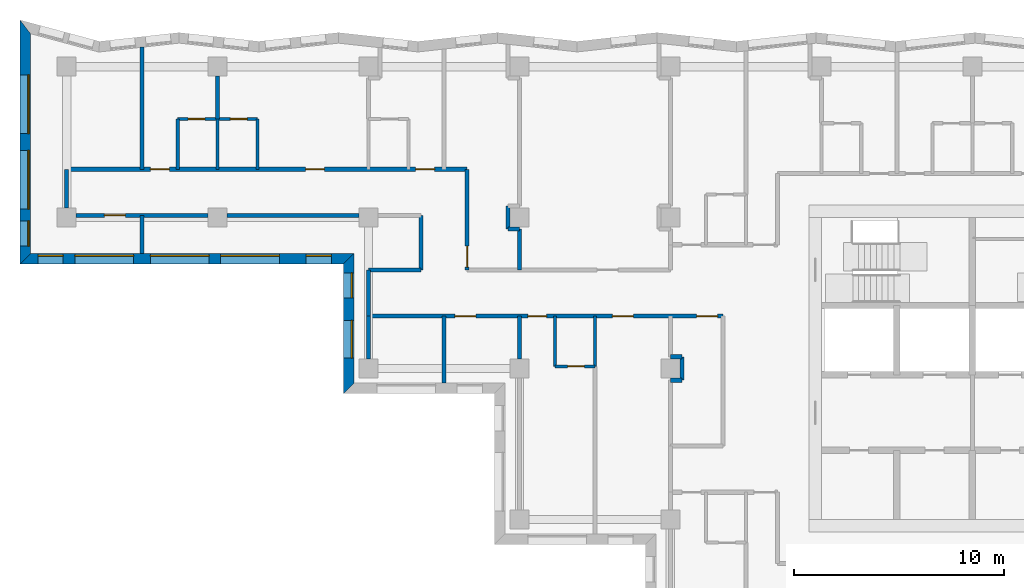
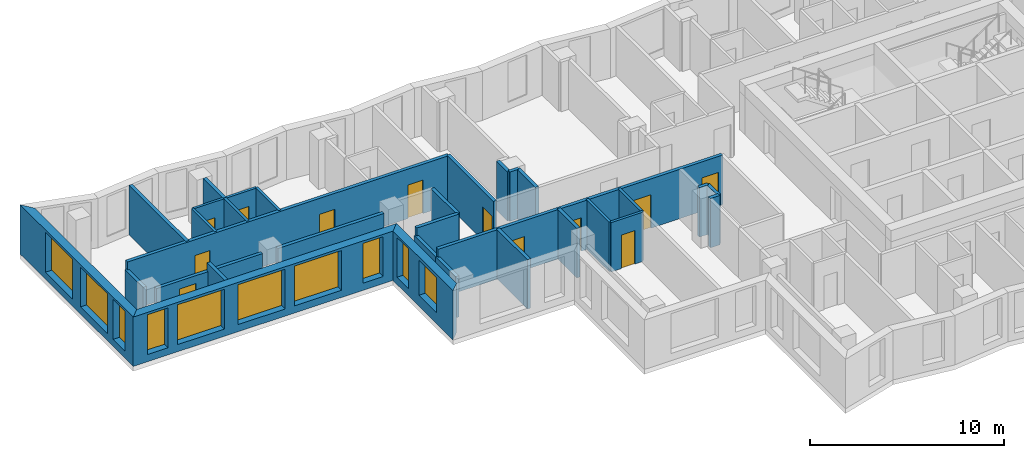
# One storey, part 4 of 12: 31 walls, 12 doors, 10 windows, 22 openings.
"""IFC4 building model written with IfcOpenShell, lengths in metres."""

from ifc_helpers import new_model, si_unit, direction, frame, frame_2d, origin, place, context, subcontext, project, spatial, polyline, rectangle, outline, extrude, material, layer, layer_set, type_object, element, fill, save


model = new_model("IFC4")

# Units and contexts
model_context = context("Model", 3, precision=1e-05, world=origin(), true_north=direction((0.0, 1.0)))
body_context = subcontext(model_context, "Body", "Model", "MODEL_VIEW")
ifc_project = project(units=[si_unit("LENGTHUNIT", "METRE"), si_unit("AREAUNIT", "SQUARE_METRE"), si_unit("VOLUMEUNIT", "CUBIC_METRE"), si_unit("PLANEANGLEUNIT", "RADIAN"), si_unit("MASSUNIT", "GRAM", prefix="KILO")], contexts=[model_context])

# Site, building, storey
site_placement = place(None, origin())
site = spatial("IfcSite", under=ifc_project, at=site_placement, CompositionType="ELEMENT")
building_placement = place(site_placement, origin())
building = spatial("IfcBuilding", under=site, at=building_placement, Name="Windrow Commons", CompositionType="ELEMENT")
storey_placement = place(building_placement, frame((0.0, 0.0, 149.0)))
storey = spatial("IfcBuildingStorey", under=building, at=storey_placement, Name="L40", CompositionType="ELEMENT", Elevation=149.0)

# Wall, openings, windows
ifc_material_1 = material(Name="Brick masonry, red clay brick", Category="masonry")
ifc_layer_1 = layer(ifc_material_1, 0.5)
ifc_layer_set_1 = layer_set([ifc_layer_1], Name="Brick facade wall 500")
wall_type_1 = type_object("IfcWallType", Name="Brick facade wall 500", PredefinedType="SOLIDWALL", material=ifc_layer_set_1)
wall_1_placement = place(storey_placement, frame((19.629, 73.8949, 0.0), z_axis=(0.0, 0.0, 1.0), x_axis=(0.0, -1.0, 0.0)))
wall_1 = element("IfcWall", 1, at=wall_1_placement, inside=storey, type_object=wall_type_1, Name="Brick facade wall L40 35", PredefinedType="SOLIDWALL", context=body_context, shape_type="SweptSolid", body=[
    extrude(outline(polyline([(-0.3261, -0.25), (11.3159, -0.25), (10.8159, 0.25), (0.3261, 0.25), (-0.3261, -0.25)])), origin(), (0.0, 0.0, 1.0), 3.1),
])
opening_1_placement = place(wall_1_placement, frame((2.2949, 0.0, 0.45)))
opening_1 = element("IfcOpeningElement", 2, at=opening_1_placement, cuts=wall_1, Name="Opening W1U", PredefinedType="OPENING", context=body_context, shape_type="SweptSolid", body=[
    extrude(rectangle(XDim=2.8, YDim=2.5, at=frame_2d((1.4, 1.25))), frame((0.0, 0.26, 0.0), z_axis=(0.0, -1.0, 0.0), x_axis=(1.0, 0.0, 0.0)), (0.0, 0.0, 1.0), 0.52),
])
opening_2_placement = place(wall_1_placement, frame((5.8949, 0.0, 0.45)))
opening_2 = element("IfcOpeningElement", 3, at=opening_2_placement, cuts=wall_1, Name="Opening W1U", PredefinedType="OPENING", context=body_context, shape_type="SweptSolid", body=[
    extrude(rectangle(XDim=2.8, YDim=2.5, at=frame_2d((1.4, 1.25))), frame((0.0, 0.26, 0.0), z_axis=(0.0, -1.0, 0.0), x_axis=(1.0, 0.0, 0.0)), (0.0, 0.0, 1.0), 0.52),
])
opening_3_placement = place(wall_1_placement, frame((9.2554, 0.0, 0.45)))
opening_3 = element("IfcOpeningElement", 4, at=opening_3_placement, cuts=wall_1, Name="Opening W7E", PredefinedType="OPENING", context=body_context, shape_type="SweptSolid", body=[
    extrude(rectangle(XDim=1.2, YDim=2.5, at=frame_2d((0.6, 1.25))), frame((0.0, 0.26, 0.0), z_axis=(0.0, -1.0, 0.0), x_axis=(1.0, 0.0, 0.0)), (0.0, 0.0, 1.0), 0.52),
])
ifc_material_2 = material(Name="Clear float glass in anodised aluminium frame", Category="aluminium")
window_type_1 = type_object("IfcWindowType", Name="Window W1U bedroom 2800x2500", PartitioningType="SINGLE_PANEL", PredefinedType="WINDOW", material=ifc_material_2)
window_1_placement = place(opening_1_placement, origin())
window_1 = element("IfcWindow", 5, at=window_1_placement, inside=storey, type_object=window_type_1, Name="Window L40 35.1", OverallHeight=2.5, OverallWidth=2.8, PartitioningType="SINGLE_PANEL", PredefinedType="WINDOW", context=body_context, shape_type="SweptSolid", body=[
    extrude(rectangle(XDim=2.8, YDim=2.5, at=frame_2d((1.4, 1.25))), frame((0.0, 0.18, 0.0), z_axis=(0.0, -1.0, 0.0), x_axis=(1.0, 0.0, 0.0)), (0.0, 0.0, 1.0), 0.06),
])
fill(opening_1, window_1)
window_2_placement = place(opening_2_placement, origin())
window_2 = element("IfcWindow", 6, at=window_2_placement, inside=storey, type_object=window_type_1, Name="Window L40 35.2", OverallHeight=2.5, OverallWidth=2.8, PartitioningType="SINGLE_PANEL", PredefinedType="WINDOW", context=body_context, shape_type="SweptSolid", body=[
    extrude(rectangle(XDim=2.8, YDim=2.5, at=frame_2d((1.4, 1.25))), frame((0.0, 0.18, 0.0), z_axis=(0.0, -1.0, 0.0), x_axis=(1.0, 0.0, 0.0)), (0.0, 0.0, 1.0), 0.06),
])
fill(opening_2, window_2)
ifc_material_3 = material(Name="Clear float glass in anodised aluminium frame", Category="aluminium")
window_type_2 = type_object("IfcWindowType", Name="Window W7 notch 1200x2500", PartitioningType="SINGLE_PANEL", PredefinedType="WINDOW", material=ifc_material_3)
window_3_placement = place(opening_3_placement, origin())
window_3 = element("IfcWindow", 7, at=window_3_placement, inside=storey, type_object=window_type_2, Name="Window L40 35.3", OverallHeight=2.5, OverallWidth=1.2, PartitioningType="SINGLE_PANEL", PredefinedType="WINDOW", context=body_context, shape_type="SweptSolid", body=[
    extrude(rectangle(XDim=1.2, YDim=2.5, at=frame_2d((0.6, 1.25))), frame((0.0, 0.18, 0.0), z_axis=(0.0, -1.0, 0.0), x_axis=(1.0, 0.0, 0.0)), (0.0, 0.0, 1.0), 0.06),
])
fill(opening_3, window_3)

wall_2_placement = place(storey_placement, frame((19.629, 62.829, 0.0), z_axis=(0.0, 0.0, 1.0), x_axis=(1.0, 0.0, 0.0)))
wall_2 = element("IfcWall", 8, at=wall_2_placement, inside=storey, type_object=wall_type_1, Name="Brick facade wall L40 36", PredefinedType="SOLIDWALL", context=body_context, shape_type="SweptSolid", body=[
    extrude(outline(polyline([(-0.25, -0.25), (15.171, -0.25), (15.671, 0.25), (0.25, 0.25), (-0.25, -0.25)])), origin(), (0.0, 0.0, 1.0), 3.1),
])
opening_4_placement = place(wall_2_placement, frame((2.371, 0.0, 0.45)))
opening_4 = element("IfcOpeningElement", 9, at=opening_4_placement, cuts=wall_2, Name="Opening W1U", PredefinedType="OPENING", context=body_context, shape_type="SweptSolid", body=[
    extrude(rectangle(XDim=2.8, YDim=2.5, at=frame_2d((1.4, 1.25))), frame((0.0, 0.26, 0.0), z_axis=(0.0, -1.0, 0.0), x_axis=(1.0, 0.0, 0.0)), (0.0, 0.0, 1.0), 0.52),
])
opening_5_placement = place(wall_2_placement, frame((5.971, 0.0, 0.45)))
opening_5 = element("IfcOpeningElement", 10, at=opening_5_placement, cuts=wall_2, Name="Opening W1U", PredefinedType="OPENING", context=body_context, shape_type="SweptSolid", body=[
    extrude(rectangle(XDim=2.8, YDim=2.5, at=frame_2d((1.4, 1.25))), frame((0.0, 0.26, 0.0), z_axis=(0.0, -1.0, 0.0), x_axis=(1.0, 0.0, 0.0)), (0.0, 0.0, 1.0), 0.52),
])
opening_6_placement = place(wall_2_placement, frame((9.321, 0.0, 0.45)))
opening_6 = element("IfcOpeningElement", 11, at=opening_6_placement, cuts=wall_2, Name="Opening W1U", PredefinedType="OPENING", context=body_context, shape_type="SweptSolid", body=[
    extrude(rectangle(XDim=2.8, YDim=2.5, at=frame_2d((1.4, 1.25))), frame((0.0, 0.26, 0.0), z_axis=(0.0, -1.0, 0.0), x_axis=(1.0, 0.0, 0.0)), (0.0, 0.0, 1.0), 0.52),
])
opening_7_placement = place(wall_2_placement, frame((0.6105, 0.0, 0.45)))
opening_7 = element("IfcOpeningElement", 12, at=opening_7_placement, cuts=wall_2, Name="Opening W7E", PredefinedType="OPENING", context=body_context, shape_type="SweptSolid", body=[
    extrude(rectangle(XDim=1.2, YDim=2.5, at=frame_2d((0.6, 1.25))), frame((0.0, 0.26, 0.0), z_axis=(0.0, -1.0, 0.0), x_axis=(1.0, 0.0, 0.0)), (0.0, 0.0, 1.0), 0.52),
])
opening_8_placement = place(wall_2_placement, frame((13.396, 0.0, 0.45)))
opening_8 = element("IfcOpeningElement", 13, at=opening_8_placement, cuts=wall_2, Name="Opening W7E", PredefinedType="OPENING", context=body_context, shape_type="SweptSolid", body=[
    extrude(rectangle(XDim=1.2, YDim=2.5, at=frame_2d((0.6, 1.25))), frame((0.0, 0.26, 0.0), z_axis=(0.0, -1.0, 0.0), x_axis=(1.0, 0.0, 0.0)), (0.0, 0.0, 1.0), 0.52),
])
window_4_placement = place(opening_4_placement, origin())
window_4 = element("IfcWindow", 14, at=window_4_placement, inside=storey, type_object=window_type_1, Name="Window L40 36.1", OverallHeight=2.5, OverallWidth=2.8, PartitioningType="SINGLE_PANEL", PredefinedType="WINDOW", context=body_context, shape_type="SweptSolid", body=[
    extrude(rectangle(XDim=2.8, YDim=2.5, at=frame_2d((1.4, 1.25))), frame((0.0, 0.18, 0.0), z_axis=(0.0, -1.0, 0.0), x_axis=(1.0, 0.0, 0.0)), (0.0, 0.0, 1.0), 0.06),
])
fill(opening_4, window_4)
window_5_placement = place(opening_5_placement, origin())
window_5 = element("IfcWindow", 15, at=window_5_placement, inside=storey, type_object=window_type_1, Name="Window L40 36.2", OverallHeight=2.5, OverallWidth=2.8, PartitioningType="SINGLE_PANEL", PredefinedType="WINDOW", context=body_context, shape_type="SweptSolid", body=[
    extrude(rectangle(XDim=2.8, YDim=2.5, at=frame_2d((1.4, 1.25))), frame((0.0, 0.18, 0.0), z_axis=(0.0, -1.0, 0.0), x_axis=(1.0, 0.0, 0.0)), (0.0, 0.0, 1.0), 0.06),
])
fill(opening_5, window_5)
window_6_placement = place(opening_6_placement, origin())
window_6 = element("IfcWindow", 16, at=window_6_placement, inside=storey, type_object=window_type_1, Name="Window L40 36.3", OverallHeight=2.5, OverallWidth=2.8, PartitioningType="SINGLE_PANEL", PredefinedType="WINDOW", context=body_context, shape_type="SweptSolid", body=[
    extrude(rectangle(XDim=2.8, YDim=2.5, at=frame_2d((1.4, 1.25))), frame((0.0, 0.18, 0.0), z_axis=(0.0, -1.0, 0.0), x_axis=(1.0, 0.0, 0.0)), (0.0, 0.0, 1.0), 0.06),
])
fill(opening_6, window_6)
window_7_placement = place(opening_7_placement, origin())
window_7 = element("IfcWindow", 17, at=window_7_placement, inside=storey, type_object=window_type_2, Name="Window L40 36.4", OverallHeight=2.5, OverallWidth=1.2, PartitioningType="SINGLE_PANEL", PredefinedType="WINDOW", context=body_context, shape_type="SweptSolid", body=[
    extrude(rectangle(XDim=1.2, YDim=2.5, at=frame_2d((0.6, 1.25))), frame((0.0, 0.18, 0.0), z_axis=(0.0, -1.0, 0.0), x_axis=(1.0, 0.0, 0.0)), (0.0, 0.0, 1.0), 0.06),
])
fill(opening_7, window_7)
window_8_placement = place(opening_8_placement, origin())
window_8 = element("IfcWindow", 18, at=window_8_placement, inside=storey, type_object=window_type_2, Name="Window L40 36.5", OverallHeight=2.5, OverallWidth=1.2, PartitioningType="SINGLE_PANEL", PredefinedType="WINDOW", context=body_context, shape_type="SweptSolid", body=[
    extrude(rectangle(XDim=1.2, YDim=2.5, at=frame_2d((0.6, 1.25))), frame((0.0, 0.18, 0.0), z_axis=(0.0, -1.0, 0.0), x_axis=(1.0, 0.0, 0.0)), (0.0, 0.0, 1.0), 0.06),
])
fill(opening_8, window_8)

wall_3_placement = place(storey_placement, frame((35.05, 62.829, 0.0), z_axis=(0.0, 0.0, 1.0), x_axis=(0.0, -1.0, 0.0)))
wall_3 = element("IfcWall", 19, at=wall_3_placement, inside=storey, type_object=wall_type_1, Name="Brick facade wall L40 37", PredefinedType="SOLIDWALL", context=body_context, shape_type="SweptSolid", body=[
    extrude(outline(polyline([(0.25, -0.25), (6.429, -0.25), (5.929, 0.25), (-0.25, 0.25), (0.25, -0.25)])), origin(), (0.0, 0.0, 1.0), 3.1),
])
opening_9_placement = place(wall_3_placement, frame((0.6645, 0.0, 0.45)))
opening_9 = element("IfcOpeningElement", 20, at=opening_9_placement, cuts=wall_3, Name="Opening W7E", PredefinedType="OPENING", context=body_context, shape_type="SweptSolid", body=[
    extrude(rectangle(XDim=1.2, YDim=2.5, at=frame_2d((0.6, 1.25))), frame((0.0, 0.26, 0.0), z_axis=(0.0, -1.0, 0.0), x_axis=(1.0, 0.0, 0.0)), (0.0, 0.0, 1.0), 0.52),
])
opening_10_placement = place(wall_3_placement, frame((2.929, 0.0, 0.7)))
opening_10 = element("IfcOpeningElement", 21, at=opening_10_placement, cuts=wall_3, Name="Opening W6", PredefinedType="OPENING", context=body_context, shape_type="SweptSolid", body=[
    extrude(rectangle(XDim=1.8, YDim=2.2, at=frame_2d((0.9, 1.1))), frame((0.0, 0.26, 0.0), z_axis=(0.0, -1.0, 0.0), x_axis=(1.0, 0.0, 0.0)), (0.0, 0.0, 1.0), 0.52),
])
ifc_material_4 = material(Name="Clear float glass in anodised aluminium frame", Category="aluminium")
window_type_3 = type_object("IfcWindowType", Name="Window W6 crown 1800x2200", PartitioningType="SINGLE_PANEL", PredefinedType="WINDOW", material=ifc_material_4)
window_9_placement = place(opening_10_placement, origin())
window_9 = element("IfcWindow", 22, at=window_9_placement, inside=storey, type_object=window_type_3, Name="Window L40 37.1A", OverallHeight=2.2, OverallWidth=1.8, PartitioningType="SINGLE_PANEL", PredefinedType="WINDOW", context=body_context, shape_type="SweptSolid", body=[
    extrude(rectangle(XDim=1.8, YDim=2.2, at=frame_2d((0.9, 1.1))), frame((0.0, 0.18, 0.0), z_axis=(0.0, -1.0, 0.0), x_axis=(1.0, 0.0, 0.0)), (0.0, 0.0, 1.0), 0.06),
])
fill(opening_10, window_9)
window_10_placement = place(opening_9_placement, origin())
window_10 = element("IfcWindow", 23, at=window_10_placement, inside=storey, type_object=window_type_2, Name="Window L40 37.2", OverallHeight=2.5, OverallWidth=1.2, PartitioningType="SINGLE_PANEL", PredefinedType="WINDOW", context=body_context, shape_type="SweptSolid", body=[
    extrude(rectangle(XDim=1.2, YDim=2.5, at=frame_2d((0.6, 1.25))), frame((0.0, 0.18, 0.0), z_axis=(0.0, -1.0, 0.0), x_axis=(1.0, 0.0, 0.0)), (0.0, 0.0, 1.0), 0.06),
])
fill(opening_9, window_10)

# Wall, openings, doors
ifc_material_5 = material(Name="Blockwork partition", Category="masonry")
ifc_layer_2 = layer(ifc_material_5, 0.2)
ifc_layer_set_2 = layer_set([ifc_layer_2], Name="IW-CORRIDOR-200")
wall_type_2 = type_object("IfcWallType", Name="IW-CORRIDOR-200", PredefinedType="PARTITIONING", material=ifc_layer_set_2)
wall_4_placement = place(storey_placement, frame((21.602, 67.1, 0.0), z_axis=(0.0, 0.0, 1.0), x_axis=(1.0, 0.0, 0.0)))
wall_4 = element("IfcWall", 24, at=wall_4_placement, inside=storey, type_object=wall_type_2, Name="W-L40-W000", PredefinedType="PARTITIONING", context=body_context, shape_type="SweptSolid", body=[
    extrude(rectangle(XDim=19.098, YDim=0.2, at=frame_2d((9.549, 0.0))), origin(), (0.0, 0.0, 1.0), 3.1),
])
opening_11_placement = place(wall_4_placement, frame((3.998, 0.0, 0.0)))
opening_11 = element("IfcOpeningElement", 25, at=opening_11_placement, cuts=wall_4, Name="Opening D109S", PredefinedType="OPENING", context=body_context, shape_type="SweptSolid", body=[
    extrude(rectangle(XDim=0.9, YDim=2.1, at=frame_2d((0.45, 1.05))), frame((0.0, 0.11, 0.0), z_axis=(0.0, -1.0, 0.0), x_axis=(1.0, 0.0, 0.0)), (0.0, 0.0, 1.0), 0.22),
])
opening_12_placement = place(wall_4_placement, frame((11.3986, 0.0, 0.0)))
opening_12 = element("IfcOpeningElement", 26, at=opening_12_placement, cuts=wall_4, Name="Opening D109F", PredefinedType="OPENING", context=body_context, shape_type="SweptSolid", body=[
    extrude(rectangle(XDim=0.9, YDim=2.1, at=frame_2d((0.45, 1.05))), frame((0.0, 0.11, 0.0), z_axis=(0.0, -1.0, 0.0), x_axis=(1.0, 0.0, 0.0)), (0.0, 0.0, 1.0), 0.22),
])
opening_13_placement = place(wall_4_placement, frame((16.648, 0.0, 0.0)))
opening_13 = element("IfcOpeningElement", 27, at=opening_13_placement, cuts=wall_4, Name="Opening D109S", PredefinedType="OPENING", context=body_context, shape_type="SweptSolid", body=[
    extrude(rectangle(XDim=0.9, YDim=2.1, at=frame_2d((0.45, 1.05))), frame((0.0, 0.11, 0.0), z_axis=(0.0, -1.0, 0.0), x_axis=(1.0, 0.0, 0.0)), (0.0, 0.0, 1.0), 0.22),
])
ifc_material_6 = material(Name="Timber door leaf", Category="wood")
door_type_1 = type_object("IfcDoorType", Name="DT-BEDROOM-900", OperationType="SINGLE_SWING_LEFT", PredefinedType="DOOR", material=ifc_material_6)
door_1_placement = place(opening_11_placement, origin())
door_1 = element("IfcDoor", 28, at=door_1_placement, inside=storey, type_object=door_type_1, Name="D-L40-D002", OperationType="SINGLE_SWING_LEFT", OverallHeight=2.1, OverallWidth=0.9, PredefinedType="DOOR", context=body_context, shape_type="SweptSolid", body=[
    extrude(rectangle(XDim=0.9, YDim=2.1, at=frame_2d((0.45, 1.05))), frame((0.0, 0.025, 0.0), z_axis=(0.0, -1.0, 0.0), x_axis=(1.0, 0.0, 0.0)), (0.0, 0.0, 1.0), 0.05),
])
fill(opening_11, door_1)
door_2_placement = place(opening_12_placement, origin())
door_2 = element("IfcDoor", 29, at=door_2_placement, inside=storey, type_object=door_type_1, Name="D-L40-D004", OperationType="SINGLE_SWING_RIGHT", OverallHeight=2.1, OverallWidth=0.9, PredefinedType="DOOR", context=body_context, shape_type="SweptSolid", body=[
    extrude(rectangle(XDim=0.9, YDim=2.1, at=frame_2d((0.45, 1.05))), frame((0.0, 0.025, 0.0), z_axis=(0.0, -1.0, 0.0), x_axis=(1.0, 0.0, 0.0)), (0.0, 0.0, 1.0), 0.05),
])
fill(opening_12, door_2)
door_3_placement = place(opening_13_placement, origin())
door_3 = element("IfcDoor", 30, at=door_3_placement, inside=storey, type_object=door_type_1, Name="D-L40-D006", OperationType="SINGLE_SWING_RIGHT", OverallHeight=2.1, OverallWidth=0.9, PredefinedType="DOOR", context=body_context, shape_type="SweptSolid", body=[
    extrude(rectangle(XDim=0.9, YDim=2.1, at=frame_2d((0.45, 1.05))), frame((0.0, 0.025, 0.0), z_axis=(0.0, -1.0, 0.0), x_axis=(1.0, 0.0, 0.0)), (0.0, 0.0, 1.0), 0.05),
])
fill(opening_13, door_3)

wall_5_placement = place(storey_placement, frame((36.0, 60.1, 0.0), z_axis=(0.0, 0.0, 1.0), x_axis=(1.0, 0.0, 0.0)))
wall_5 = element("IfcWall", 31, at=wall_5_placement, inside=storey, type_object=wall_type_2, Name="W-L40-W003", PredefinedType="PARTITIONING", context=body_context, shape_type="SweptSolid", body=[
    extrude(rectangle(XDim=16.9, YDim=0.2, at=frame_2d((8.45, 0.0))), origin(), (0.0, 0.0, 1.0), 3.1),
])
opening_14_placement = place(wall_5_placement, frame((4.125, 0.0, 0.0)))
opening_14 = element("IfcOpeningElement", 32, at=opening_14_placement, cuts=wall_5, Name="Opening D310F", PredefinedType="OPENING", context=body_context, shape_type="SweptSolid", body=[
    extrude(rectangle(XDim=1.0, YDim=2.1, at=frame_2d((0.5, 1.05))), frame((0.0, 0.11, 0.0), z_axis=(0.0, -1.0, 0.0), x_axis=(1.0, 0.0, 0.0)), (0.0, 0.0, 1.0), 0.22),
])
opening_15_placement = place(wall_5_placement, frame((7.6, 0.0, 0.0)))
opening_15 = element("IfcOpeningElement", 33, at=opening_15_placement, cuts=wall_5, Name="Opening D109S", PredefinedType="OPENING", context=body_context, shape_type="SweptSolid", body=[
    extrude(rectangle(XDim=0.9, YDim=2.1, at=frame_2d((0.45, 1.05))), frame((0.0, 0.11, 0.0), z_axis=(0.0, -1.0, 0.0), x_axis=(1.0, 0.0, 0.0)), (0.0, 0.0, 1.0), 0.22),
])
opening_16_placement = place(wall_5_placement, frame((11.635, 0.0, 0.0)))
opening_16 = element("IfcOpeningElement", 34, at=opening_16_placement, cuts=wall_5, Name="Opening D310F", PredefinedType="OPENING", context=body_context, shape_type="SweptSolid", body=[
    extrude(rectangle(XDim=1.0, YDim=2.1, at=frame_2d((0.5, 1.05))), frame((0.0, 0.11, 0.0), z_axis=(0.0, -1.0, 0.0), x_axis=(1.0, 0.0, 0.0)), (0.0, 0.0, 1.0), 0.22),
])
opening_17_placement = place(wall_5_placement, frame((15.6524, 0.0, 0.0)))
opening_17 = element("IfcOpeningElement", 35, at=opening_17_placement, cuts=wall_5, Name="Opening D410F", PredefinedType="OPENING", context=body_context, shape_type="SweptSolid", body=[
    extrude(rectangle(XDim=1.0, YDim=2.1, at=frame_2d((0.5, 1.05))), frame((0.0, 0.11, 0.0), z_axis=(0.0, -1.0, 0.0), x_axis=(1.0, 0.0, 0.0)), (0.0, 0.0, 1.0), 0.22),
])
ifc_material_7 = material(Name="Timber door leaf", Category="wood")
door_type_2 = type_object("IfcDoorType", Name="DT-AMENITY-1000", OperationType="SINGLE_SWING_LEFT", PredefinedType="DOOR", material=ifc_material_7)
door_4_placement = place(opening_14_placement, origin())
door_4 = element("IfcDoor", 36, at=door_4_placement, inside=storey, type_object=door_type_2, Name="D-L40-D017", OperationType="SINGLE_SWING_RIGHT", OverallHeight=2.1, OverallWidth=1.0, PredefinedType="DOOR", context=body_context, shape_type="SweptSolid", body=[
    extrude(rectangle(XDim=1.0, YDim=2.1, at=frame_2d((0.5, 1.05))), frame((0.0, 0.025, 0.0), z_axis=(0.0, -1.0, 0.0), x_axis=(1.0, 0.0, 0.0)), (0.0, 0.0, 1.0), 0.05),
])
fill(opening_14, door_4)
door_5_placement = place(opening_16_placement, origin())
door_5 = element("IfcDoor", 37, at=door_5_placement, inside=storey, type_object=door_type_2, Name="D-L40-D022", OperationType="SINGLE_SWING_RIGHT", OverallHeight=2.1, OverallWidth=1.0, PredefinedType="DOOR", context=body_context, shape_type="SweptSolid", body=[
    extrude(rectangle(XDim=1.0, YDim=2.1, at=frame_2d((0.5, 1.05))), frame((0.0, 0.025, 0.0), z_axis=(0.0, -1.0, 0.0), x_axis=(1.0, 0.0, 0.0)), (0.0, 0.0, 1.0), 0.05),
])
fill(opening_16, door_5)
door_6_placement = place(opening_15_placement, origin())
door_6 = element("IfcDoor", 38, at=door_6_placement, inside=storey, type_object=door_type_1, Name="D-L40-D018", OperationType="SINGLE_SWING_LEFT", OverallHeight=2.1, OverallWidth=0.9, PredefinedType="DOOR", context=body_context, shape_type="SweptSolid", body=[
    extrude(rectangle(XDim=0.9, YDim=2.1, at=frame_2d((0.45, 1.05))), frame((0.0, 0.025, 0.0), z_axis=(0.0, -1.0, 0.0), x_axis=(1.0, 0.0, 0.0)), (0.0, 0.0, 1.0), 0.05),
])
fill(opening_15, door_6)
ifc_material_8 = material(Name="Timber door leaf", Category="wood")
door_type_3 = type_object("IfcDoorType", Name="DT-SERVICE-1000", OperationType="SINGLE_SWING_LEFT", PredefinedType="DOOR", material=ifc_material_8)
door_7_placement = place(opening_17_placement, origin())
door_7 = element("IfcDoor", 39, at=door_7_placement, inside=storey, type_object=door_type_3, Name="D-L40-D029", OperationType="SINGLE_SWING_LEFT", OverallHeight=2.1, OverallWidth=1.0, PredefinedType="DOOR", context=body_context, shape_type="SweptSolid", body=[
    extrude(rectangle(XDim=1.0, YDim=2.1, at=frame_2d((0.5, 1.05))), frame((0.0, 0.025, 0.0), z_axis=(0.0, -1.0, 0.0), x_axis=(1.0, 0.0, 0.0)), (0.0, 0.0, 1.0), 0.05),
])
fill(opening_17, door_7)

# Wall, opening, door
wall_6_placement = place(storey_placement, frame((22.05, 64.9, 0.0), z_axis=(0.0, 0.0, 1.0), x_axis=(1.0, 0.0, 0.0)))
wall_6 = element("IfcWall", 40, at=wall_6_placement, inside=storey, type_object=wall_type_2, Name="W-L40-W021", PredefinedType="PARTITIONING", context=body_context, shape_type="SweptSolid", body=[
    extrude(rectangle(XDim=6.3, YDim=0.2, at=frame_2d((3.15, 0.0))), origin(), (0.0, 0.0, 1.0), 2.6),
])
opening_18_placement = place(wall_6_placement, frame((1.3501, 0.0, 0.0)))
opening_18 = element("IfcOpeningElement", 41, at=opening_18_placement, cuts=wall_6, Name="Opening D310F", PredefinedType="OPENING", context=body_context, shape_type="SweptSolid", body=[
    extrude(rectangle(XDim=1.0, YDim=2.1, at=frame_2d((0.5, 1.05))), frame((0.0, 0.11, 0.0), z_axis=(0.0, -1.0, 0.0), x_axis=(1.0, 0.0, 0.0)), (0.0, 0.0, 1.0), 0.22),
])
door_8_placement = place(opening_18_placement, origin())
door_8 = element("IfcDoor", 42, at=door_8_placement, inside=storey, type_object=door_type_2, Name="D-L40-D001", OperationType="SINGLE_SWING_RIGHT", OverallHeight=2.1, OverallWidth=1.0, PredefinedType="DOOR", context=body_context, shape_type="SweptSolid", body=[
    extrude(rectangle(XDim=1.0, YDim=2.1, at=frame_2d((0.5, 1.05))), frame((0.0, 0.025, 0.0), z_axis=(0.0, -1.0, 0.0), x_axis=(1.0, 0.0, 0.0)), (0.0, 0.0, 1.0), 0.05),
])
fill(opening_18, door_8)

# Wall
wall_7_placement = place(storey_placement, frame((29.25, 64.9, 0.0), z_axis=(0.0, 0.0, 1.0), x_axis=(1.0, 0.0, 0.0)))
element("IfcWall", 43, at=wall_7_placement, inside=storey, type_object=wall_type_2, Name="W-L40-W022", PredefinedType="PARTITIONING", context=body_context, shape_type="SweptSolid", body=[
    extrude(rectangle(XDim=6.3, YDim=0.2, at=frame_2d((3.15, 0.0))), origin(), (0.0, 0.0, 1.0), 2.6),
])

# Wall, opening, door
wall_8_placement = place(storey_placement, frame((40.7, 62.302, 0.0), z_axis=(0.0, 0.0, 1.0), x_axis=(0.0, 1.0, 0.0)))
wall_8 = element("IfcWall", 44, at=wall_8_placement, inside=storey, type_object=wall_type_2, Name="W-L40-W040", PredefinedType="PARTITIONING", context=body_context, shape_type="SweptSolid", body=[
    extrude(rectangle(XDim=4.798, YDim=0.2, at=frame_2d((2.399, 0.0))), origin(), (0.0, 0.0, 1.0), 3.1),
])
opening_19_placement = place(wall_8_placement, frame((0.133, 0.0, 0.0)))
opening_19 = element("IfcOpeningElement", 45, at=opening_19_placement, cuts=wall_8, Name="Opening D310F", PredefinedType="OPENING", context=body_context, shape_type="SweptSolid", body=[
    extrude(rectangle(XDim=1.0, YDim=2.1, at=frame_2d((0.5, 1.05))), frame((0.0, 0.11, 0.0), z_axis=(0.0, -1.0, 0.0), x_axis=(1.0, 0.0, 0.0)), (0.0, 0.0, 1.0), 0.22),
])
door_9_placement = place(opening_19_placement, origin())
door_9 = element("IfcDoor", 46, at=door_9_placement, inside=storey, type_object=door_type_2, Name="D-L40-D020", OperationType="SINGLE_SWING_LEFT", OverallHeight=2.1, OverallWidth=1.0, PredefinedType="DOOR", context=body_context, shape_type="SweptSolid", body=[
    extrude(rectangle(XDim=1.0, YDim=2.1, at=frame_2d((0.5, 1.05))), frame((0.0, 0.025, 0.0), z_axis=(0.0, -1.0, 0.0), x_axis=(1.0, 0.0, 0.0)), (0.0, 0.0, 1.0), 0.05),
])
fill(opening_19, door_9)

# Walls
wall_9_placement = place(storey_placement, frame((38.5, 62.302, 0.0), z_axis=(0.0, 0.0, 1.0), x_axis=(0.0, 1.0, 0.0)))
element("IfcWall", 47, at=wall_9_placement, inside=storey, type_object=wall_type_2, Name="W-L40-W061", PredefinedType="PARTITIONING", context=body_context, shape_type="SweptSolid", body=[
    extrude(rectangle(XDim=2.598, YDim=0.2, at=frame_2d((1.299, 0.0))), origin(), (0.0, 0.0, 1.0), 3.1),
])
wall_10_placement = place(storey_placement, frame((36.0, 62.3, 0.0), z_axis=(0.0, 0.0, 1.0), x_axis=(1.0, 0.0, 0.0)))
element("IfcWall", 48, at=wall_10_placement, inside=storey, type_object=wall_type_2, Name="W-L40-W062", PredefinedType="PARTITIONING", context=body_context, shape_type="SweptSolid", body=[
    extrude(rectangle(XDim=2.5, YDim=0.2, at=frame_2d((1.25, 0.0))), origin(), (0.0, 0.0, 1.0), 3.1),
])
wall_11_placement = place(storey_placement, frame((36.0, 60.1, 0.0), z_axis=(0.0, 0.0, 1.0), x_axis=(0.0, 1.0, 0.0)))
element("IfcWall", 49, at=wall_11_placement, inside=storey, type_object=wall_type_2, Name="W-L40-W108", PredefinedType="PARTITIONING", context=body_context, shape_type="SweptSolid", body=[
    extrude(rectangle(XDim=2.2, YDim=0.2, at=frame_2d((1.1, 0.0))), origin(), (0.0, 0.0, 1.0), 2.6),
])
wall_12_placement = place(storey_placement, frame((21.6, 65.25, 0.0), z_axis=(0.0, 0.0, 1.0), x_axis=(0.0, 1.0, 0.0)))
element("IfcWall", 50, at=wall_12_placement, inside=storey, type_object=wall_type_2, Name="W-L40-W136", PredefinedType="PARTITIONING", context=body_context, shape_type="SweptSolid", body=[
    extrude(rectangle(XDim=1.848, YDim=0.2, at=frame_2d((0.924, 0.0))), origin(), (0.0, 0.0, 1.0), 2.6),
])

# Wall, openings, doors
ifc_material_9 = material(Name="Blockwork partition", Category="masonry")
ifc_layer_3 = layer(ifc_material_9, 0.15)
ifc_layer_set_3 = layer_set([ifc_layer_3], Name="IW-ENSUITE-150")
wall_type_3 = type_object("IfcWallType", Name="IW-ENSUITE-150", PredefinedType="PARTITIONING", material=ifc_layer_set_3)
wall_13_placement = place(storey_placement, frame((26.9, 69.5, 0.0), z_axis=(0.0, 0.0, 1.0), x_axis=(1.0, 0.0, 0.0)))
wall_13 = element("IfcWall", 51, at=wall_13_placement, inside=storey, type_object=wall_type_3, Name="W-L40-W047", PredefinedType="PARTITIONING", context=body_context, shape_type="SweptSolid", body=[
    extrude(rectangle(XDim=3.8, YDim=0.15, at=frame_2d((1.9, 0.0))), origin(), (0.0, 0.0, 1.0), 3.1),
])
opening_20_placement = place(wall_13_placement, frame((0.4931, 0.0, 0.0)))
opening_20 = element("IfcOpeningElement", 52, at=opening_20_placement, cuts=wall_13, Name="Opening D208N", PredefinedType="OPENING", context=body_context, shape_type="SweptSolid", body=[
    extrude(rectangle(XDim=0.8, YDim=2.1, at=frame_2d((0.4, 1.05))), frame((0.0, 0.085, 0.0), z_axis=(0.0, -1.0, 0.0), x_axis=(1.0, 0.0, 0.0)), (0.0, 0.0, 1.0), 0.17),
])
opening_21_placement = place(wall_13_placement, frame((2.5069, 0.0, 0.0)))
opening_21 = element("IfcOpeningElement", 53, at=opening_21_placement, cuts=wall_13, Name="Opening D208N", PredefinedType="OPENING", context=body_context, shape_type="SweptSolid", body=[
    extrude(rectangle(XDim=0.8, YDim=2.1, at=frame_2d((0.4, 1.05))), frame((0.0, 0.085, 0.0), z_axis=(0.0, -1.0, 0.0), x_axis=(1.0, 0.0, 0.0)), (0.0, 0.0, 1.0), 0.17),
])
ifc_material_10 = material(Name="Timber door leaf", Category="wood")
door_type_4 = type_object("IfcDoorType", Name="DT-ENSUITE-800", OperationType="SINGLE_SWING_LEFT", PredefinedType="DOOR", material=ifc_material_10)
door_10_placement = place(opening_20_placement, origin())
door_10 = element("IfcDoor", 54, at=door_10_placement, inside=storey, type_object=door_type_4, Name="D-L40-D003", OperationType="SINGLE_SWING_RIGHT", OverallHeight=2.1, OverallWidth=0.8, PredefinedType="DOOR", context=body_context, shape_type="SweptSolid", body=[
    extrude(rectangle(XDim=0.8, YDim=2.1, at=frame_2d((0.4, 1.05))), frame((0.0, 0.025, 0.0), z_axis=(0.0, -1.0, 0.0), x_axis=(1.0, 0.0, 0.0)), (0.0, 0.0, 1.0), 0.05),
])
fill(opening_20, door_10)
door_11_placement = place(opening_21_placement, origin())
door_11 = element("IfcDoor", 55, at=door_11_placement, inside=storey, type_object=door_type_4, Name="D-L40-D005", OperationType="SINGLE_SWING_RIGHT", OverallHeight=2.1, OverallWidth=0.8, PredefinedType="DOOR", context=body_context, shape_type="SweptSolid", body=[
    extrude(rectangle(XDim=0.8, YDim=2.1, at=frame_2d((0.4, 1.05))), frame((0.0, 0.025, 0.0), z_axis=(0.0, -1.0, 0.0), x_axis=(1.0, 0.0, 0.0)), (0.0, 0.0, 1.0), 0.05),
])
fill(opening_21, door_11)

# Walls
for number, where, z_axis, x_axis, name in (
    (56, (26.9, 67.1, 0.0), (0.0, 0.0, 1.0), (0.0, 1.0, 0.0), "W-L40-W070"),
    (57, (28.8, 67.1, 0.0), (0.0, 0.0, 1.0), (0.0, 1.0, 0.0), "W-L40-W071"),
    (58, (30.7, 67.1, 0.0), (0.0, 0.0, 1.0), (0.0, 1.0, 0.0), "W-L40-W072"),
    (59, (44.9, 57.7, 0.0), (0.0, 0.0, 1.0), (0.0, 1.0, 0.0), "W-L40-W081"),
    (60, (46.8, 57.7, 0.0), (0.0, 0.0, 1.0), (0.0, 1.0, 0.0), "W-L40-W082"),
):
    element("IfcWall", number, at=place(storey_placement, frame(where, z_axis=z_axis, x_axis=x_axis)), inside=storey, type_object=wall_type_3, Name=name, PredefinedType="PARTITIONING", context=body_context, shape_type="SweptSolid", body=[
        extrude(rectangle(XDim=2.4, YDim=0.15, at=frame_2d((1.2, 0.0))), origin(), (0.0, 0.0, 1.0), 3.1),
    ])

# Wall, opening, door
wall_14_placement = place(storey_placement, frame((44.9, 57.7, 0.0), z_axis=(0.0, 0.0, 1.0), x_axis=(1.0, 0.0, 0.0)))
wall_14 = element("IfcWall", 61, at=wall_14_placement, inside=storey, type_object=wall_type_3, Name="W-L40-W127", PredefinedType="PARTITIONING", context=body_context, shape_type="SweptSolid", body=[
    extrude(rectangle(XDim=1.9, YDim=0.15, at=frame_2d((0.95, 0.0))), origin(), (0.0, 0.0, 1.0), 3.1),
])
opening_22_placement = place(wall_14_placement, frame((0.5979, 0.0, 0.0)))
opening_22 = element("IfcOpeningElement", 62, at=opening_22_placement, cuts=wall_14, Name="Opening D208N", PredefinedType="OPENING", context=body_context, shape_type="SweptSolid", body=[
    extrude(rectangle(XDim=0.8, YDim=2.1, at=frame_2d((0.4, 1.05))), frame((0.0, 0.085, 0.0), z_axis=(0.0, -1.0, 0.0), x_axis=(1.0, 0.0, 0.0)), (0.0, 0.0, 1.0), 0.17),
])
door_12_placement = place(opening_22_placement, origin())
door_12 = element("IfcDoor", 63, at=door_12_placement, inside=storey, type_object=door_type_4, Name="D-L40-D019", OperationType="SINGLE_SWING_RIGHT", OverallHeight=2.1, OverallWidth=0.8, PredefinedType="DOOR", context=body_context, shape_type="SweptSolid", body=[
    extrude(rectangle(XDim=0.8, YDim=2.1, at=frame_2d((0.4, 1.05))), frame((0.0, 0.025, 0.0), z_axis=(0.0, -1.0, 0.0), x_axis=(1.0, 0.0, 0.0)), (0.0, 0.0, 1.0), 0.05),
])
fill(opening_22, door_12)

# Walls
ifc_material_11 = material(Name="Blockwork partition", Category="masonry")
ifc_layer_4 = layer(ifc_material_11, 0.2)
ifc_layer_set_4 = layer_set([ifc_layer_4], Name="IW-PARTY-200")
wall_type_4 = type_object("IfcWallType", Name="IW-PARTY-200", PredefinedType="PARTITIONING", material=ifc_layer_set_4)
wall_15_placement = place(storey_placement, frame((25.2, 67.1, 0.0), z_axis=(0.0, 0.0, 1.0), x_axis=(0.0, 1.0, 0.0)))
element("IfcWall", 64, at=wall_15_placement, inside=storey, type_object=wall_type_4, Name="W-L40-W032", PredefinedType="PARTITIONING", context=body_context, shape_type="SweptSolid", body=[
    extrude(rectangle(XDim=5.8215, YDim=0.2, at=frame_2d((2.9108, 0.0))), origin(), (0.0, 0.0, 1.0), 3.1),
])
wall_16_placement = place(storey_placement, frame((39.6, 56.9, 0.0), z_axis=(0.0, 0.0, 1.0), x_axis=(0.0, 1.0, 0.0)))
element("IfcWall", 65, at=wall_16_placement, inside=storey, type_object=wall_type_4, Name="W-L40-W053", PredefinedType="PARTITIONING", context=body_context, shape_type="SweptSolid", body=[
    extrude(rectangle(XDim=3.2, YDim=0.2, at=frame_2d((1.6, 0.0))), origin(), (0.0, 0.0, 1.0), 3.1),
])
wall_17_placement = place(storey_placement, frame((36.0, 58.05, 0.0), z_axis=(0.0, 0.0, 1.0), x_axis=(0.0, 1.0, 0.0)))
element("IfcWall", 66, at=wall_17_placement, inside=storey, type_object=wall_type_4, Name="W-L40-W115", PredefinedType="PARTITIONING", context=body_context, shape_type="SweptSolid", body=[
    extrude(rectangle(XDim=2.05, YDim=0.2, at=frame_2d((1.025, 0.0))), origin(), (0.0, 0.0, 1.0), 2.6),
])
for number, where, z_axis, x_axis, name in (
    (67, (43.2, 58.05, 0.0), (0.0, 0.0, 1.0), (0.0, 1.0, 0.0), "W-L40-W116"),
    (68, (28.8, 69.5, 0.0), (0.0, 0.0, 1.0), (0.0, 1.0, 0.0), "W-L40-W118"),
):
    element("IfcWall", number, at=place(storey_placement, frame(where, z_axis=z_axis, x_axis=x_axis)), inside=storey, type_object=wall_type_4, Name=name, PredefinedType="PARTITIONING", context=body_context, shape_type="SweptSolid", body=[
        extrude(rectangle(XDim=2.05, YDim=0.2, at=frame_2d((1.025, 0.0))), origin(), (0.0, 0.0, 1.0), 3.1),
    ])
wall_18_placement = place(storey_placement, frame((43.2, 62.3, 0.0), z_axis=(0.0, 0.0, 1.0), x_axis=(0.0, 1.0, 0.0)))
element("IfcWall", 69, at=wall_18_placement, inside=storey, type_object=wall_type_4, Name="W-L40-W120", PredefinedType="PARTITIONING", context=body_context, shape_type="SweptSolid", body=[
    extrude(rectangle(XDim=1.946, YDim=0.2, at=frame_2d((0.973, 0.0))), origin(), (0.0, 0.0, 1.0), 3.1),
])
wall_19_placement = place(storey_placement, frame((25.2, 63.079, 0.0), z_axis=(0.0, 0.0, 1.0), x_axis=(0.0, 1.0, 0.0)))
element("IfcWall", 70, at=wall_19_placement, inside=storey, type_object=wall_type_4, Name="W-L40-W139", PredefinedType="PARTITIONING", context=body_context, shape_type="SweptSolid", body=[
    extrude(rectangle(XDim=1.821, YDim=0.2, at=frame_2d((0.9105, 0.0))), origin(), (0.0, 0.0, 1.0), 3.1),
])
wall_20_placement = place(storey_placement, frame((50.95, 57.044, 0.0), z_axis=(0.0, 0.0, 1.0), x_axis=(0.0, 1.0, 0.0)))
element("IfcWall", 71, at=wall_20_placement, inside=storey, type_object=wall_type_4, Name="W-L40-W151", PredefinedType="PARTITIONING", context=body_context, shape_type="SweptSolid", body=[
    extrude(rectangle(XDim=1.112, YDim=0.2, at=frame_2d((0.556, 0.0))), origin(), (0.0, 0.0, 1.0), 3.1),
])
wall_21_placement = place(storey_placement, frame((42.65, 64.246, 0.0), z_axis=(0.0, 0.0, 1.0), x_axis=(0.0, 1.0, 0.0)))
element("IfcWall", 72, at=wall_21_placement, inside=storey, type_object=wall_type_4, Name="W-L40-W152", PredefinedType="PARTITIONING", context=body_context, shape_type="SweptSolid", body=[
    extrude(rectangle(XDim=1.108, YDim=0.2, at=frame_2d((0.554, 0.0))), origin(), (0.0, 0.0, 1.0), 3.1),
])
for number, where, z_axis, x_axis, name in (
    (73, (42.65, 64.25, 0.0), (0.0, 0.0, 1.0), (1.0, 0.0, 0.0), "W-L40-W164"),
    (74, (50.4, 58.16, 0.0), (0.0, 0.0, 1.0), (1.0, 0.0, 0.0), "W-L40-W165"),
    (75, (50.4, 57.04, 0.0), (0.0, 0.0, 1.0), (1.0, 0.0, 0.0), "W-L40-W166"),
):
    element("IfcWall", number, at=place(storey_placement, frame(where, z_axis=z_axis, x_axis=x_axis)), inside=storey, type_object=wall_type_4, Name=name, PredefinedType="PARTITIONING", context=body_context, shape_type="SweptSolid", body=[
        extrude(rectangle(XDim=0.55, YDim=0.2, at=frame_2d((0.275, 0.0))), origin(), (0.0, 0.0, 1.0), 3.1),
    ])

save(model, "model.ifc")
